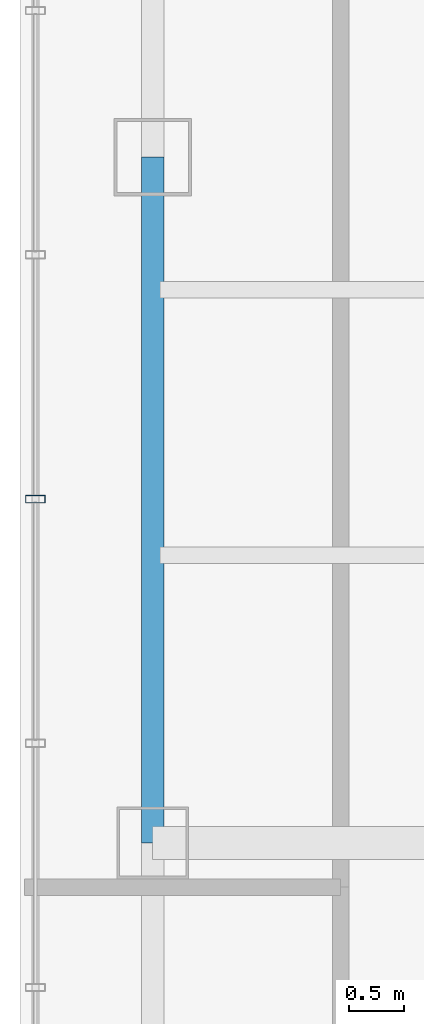
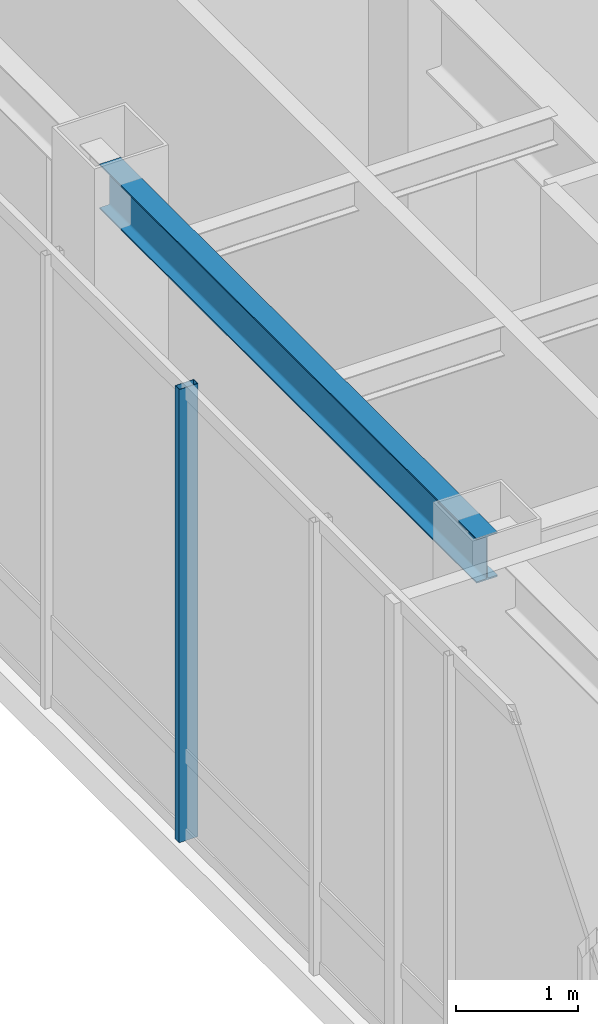
# One storey, part 8 of 21: 1 beam, 1 member, 1 element without a shape of its own.
"""IFC4 building model written with IfcOpenShell, lengths in metres."""

import ifcopenshell
import ifcopenshell.guid

model = None  # the IFC model being written
_history = None  # IfcOwnerHistory: only IFC2X3 demands one
_inside = {}  # id of a spatial element -> (the spatial element, [elements in it])
_under = {}  # id of a project, library or spatial element -> (it, [spatial elements below it])
_declared = {}  # id of a project -> (the project, [libraries it declares])
_typed = {}  # id of a type object -> (the type object, [elements of that type])
_made_of = {}  # id of a material, layer set ... -> (it, [elements and type objects made of it])


def new_model(schema):
    """Start an empty IFC model of exactly this schema.

    Asked for "IFC4X3", IfcOpenShell would pick the latest addendum, in which some entities
    have other attributes; the version numbers below select the first issue.
    IFC2X3 requires an IfcOwnerHistory on every rooted entity: one is made here for all.
    """
    global model, _history
    if schema == "IFC4X3":
        model = ifcopenshell.file(schema_version=(4, 3, 0, 0))
    else:
        model = ifcopenshell.file(schema=schema)
    _inside.clear()
    _under.clear()
    _declared.clear()
    _typed.clear()
    _made_of.clear()
    _history = None
    if model.schema == "IFC2X3":
        org = make("IfcOrganization", Name="unknown")
        user = make(
            "IfcPersonAndOrganization",
            ThePerson=make("IfcPerson", FamilyName="unknown"),
            TheOrganization=org,
        )
        app = make(
            "IfcApplication",
            ApplicationDeveloper=org,
            Version="unknown",
            ApplicationFullName="unknown",
            ApplicationIdentifier="unknown",
        )
        _history = make(
            "IfcOwnerHistory",
            OwningUser=user,
            OwningApplication=app,
            ChangeAction="ADDED",
            CreationDate=0,
        )
    return model


def make(cls, **values):
    """One entity of the class cls with the attributes given. An attribute that is None is left unset."""
    return model.create_entity(
        cls, **{name: value for name, value in values.items() if value is not None}
    )


def rooted(cls, **values):
    """An entity with a GlobalId (a new one), such as an element, a storey or a relation."""
    return make(cls, GlobalId=ifcopenshell.guid.new(), OwnerHistory=_history, **values)


def si_unit(unit_type, name, prefix=None):
    """IfcSIUnit, for example si_unit("LENGTHUNIT", "METRE", prefix="MILLI")."""
    return make("IfcSIUnit", UnitType=unit_type, Prefix=prefix, Name=name)


def assignment(units):
    """IfcUnitAssignment: the units of a project."""
    return None if units is None else make("IfcUnitAssignment", Units=units)


def point(xyz):
    """IfcCartesianPoint."""
    return None if xyz is None else make("IfcCartesianPoint", Coordinates=xyz)


def direction(xyz):
    """IfcDirection."""
    return None if xyz is None else make("IfcDirection", DirectionRatios=xyz)


def frame(location, z_axis=None, x_axis=None):
    """IfcAxis2Placement3D, a coordinate frame: its origin and axes. An axis left out is left unset."""
    return make(
        "IfcAxis2Placement3D",
        Location=point(location),
        Axis=direction(z_axis),
        RefDirection=direction(x_axis),
    )


def frame_2d(location, x_axis=None):
    """IfcAxis2Placement2D, a coordinate frame in the plane: its origin and x axis."""
    return make(
        "IfcAxis2Placement2D", Location=point(location), RefDirection=direction(x_axis)
    )


def origin():
    """The frame at (0, 0, 0) with its axes left unset."""
    return frame((0.0, 0.0, 0.0))


def origin_2d():
    """The frame at (0, 0) in the plane with its x axis left unset."""
    return frame_2d((0.0, 0.0))


def place(relative_to, where):
    """IfcLocalPlacement: puts the frame where relative to a parent placement (None: the world)."""
    return make(
        "IfcLocalPlacement", PlacementRelTo=relative_to, RelativePlacement=where
    )


def context(
    kind, dimensions, precision=None, world=None, true_north=None, identifier=None
):
    """IfcGeometricRepresentationContext, for example the 3D "Model" context."""
    return make(
        "IfcGeometricRepresentationContext",
        ContextIdentifier=identifier,
        ContextType=kind,
        CoordinateSpaceDimension=dimensions,
        Precision=precision,
        WorldCoordinateSystem=world,
        TrueNorth=true_north,
    )


def subcontext(parent, identifier, kind, view, scale=None):
    """IfcGeometricRepresentationSubContext, for example "Body" below "Model"."""
    return make(
        "IfcGeometricRepresentationSubContext",
        ContextIdentifier=identifier,
        ContextType=kind,
        ParentContext=parent,
        TargetScale=scale,
        TargetView=view,
    )


def project(units=None, contexts=None):
    """IfcProject with its units and contexts."""
    return rooted(
        "IfcProject",
        Name="project",
        RepresentationContexts=contexts,
        UnitsInContext=assignment(units),
    )


def spatial(cls, under=None, at=None, **own):
    """A site, building, storey or space (cls), placed at a placement, below another one or the project."""
    s = rooted(cls, ObjectPlacement=at, **own)
    if under is not None:
        _under.setdefault(under.id(), (under, []))[1].append(s)
    return s


def profile(cls, at=None, kind="AREA", **sizes):
    """A parametric profile (cls). Its sizes go by their IFC names, for example OverallWidth=200.0."""
    return make(cls, ProfileType=kind, Position=at, **sizes)


def hollow_rectangle(**sizes):
    """IfcRectangleHollowProfileDef."""
    return profile("IfcRectangleHollowProfileDef", **sizes)


def i_section(**sizes):
    """IfcIShapeProfileDef."""
    return profile("IfcIShapeProfileDef", **sizes)


def extrude(swept, where, along, depth):
    """IfcExtrudedAreaSolid: the profile swept, set in the frame where, extruded along a direction by depth."""
    return make(
        "IfcExtrudedAreaSolid",
        SweptArea=swept,
        Position=where,
        ExtrudedDirection=direction(along),
        Depth=depth,
    )


def shape(context_of_items, identifier, shape_type, items):
    """IfcShapeRepresentation: the items that make up one representation, for example the "Body"."""
    return make(
        "IfcShapeRepresentation",
        ContextOfItems=context_of_items,
        RepresentationIdentifier=identifier,
        RepresentationType=shape_type,
        Items=items,
    )


def material(Name=None, Category=None):
    """IfcMaterial."""
    return make("IfcMaterial", Name=Name, Category=Category)


def layer(
    of_material, thickness, ventilated=None, Name=None, Category=None, Priority=None
):
    """IfcMaterialLayer: one layer of a wall or slab, of a material (None: an air gap)."""
    return make(
        "IfcMaterialLayer",
        Material=of_material,
        LayerThickness=thickness,
        IsVentilated=ventilated,
        Name=Name,
        Category=Category,
        Priority=Priority,
    )


def layer_set(layers, Name=None):
    """IfcMaterialLayerSet."""
    return make("IfcMaterialLayerSet", MaterialLayers=layers, LayerSetName=Name)


def material_profile(
    of_material, cross_section, Name=None, Category=None, Priority=None
):
    """IfcMaterialProfile: a cross section and its material."""
    return make(
        "IfcMaterialProfile",
        Name=Name,
        Material=of_material,
        Profile=cross_section,
        Priority=Priority,
        Category=Category,
    )


def profile_set(profiles, Name=None, composite=None):
    """IfcMaterialProfileSet."""
    return make(
        "IfcMaterialProfileSet",
        Name=Name,
        MaterialProfiles=profiles,
        CompositeProfile=composite,
    )


def made_of(thing, what):
    """Note that an element or type object is made of a material, layer set ...; save() writes the relation."""
    if what is not None:
        _made_of.setdefault(what.id(), (what, []))[1].append(thing)
    return thing


def type_object(cls, material=None, **own):
    """A type object (cls), such as IfcWallType, which elements share."""
    return made_of(rooted(cls, **own), material)


def element(
    cls,
    number,
    at=None,
    inside=None,
    cuts=None,
    type_object=None,
    material=None,
    context=None,
    identifier="Body",
    shape_type=None,
    held_by="IfcProductDefinitionShape",
    body=None,
    shapes=None,
    **own,
):
    """One element of the class cls, such as IfcWall. Its Tag is "e" and its number.

    at: its placement. inside: the storey or other place that contains it. cuts: it is an
    opening in that element (IfcRelVoidsElement). A single representation is given by context,
    identifier, shape_type and body (its items); several are given by shapes. held_by: the class
    of the entity that holds the representations. save() writes the other relations.
    """
    e = rooted(cls, Tag="e%d" % number, ObjectPlacement=at, **own)
    if body is not None:
        shapes = [shape(context, identifier, shape_type, body)]
    if shapes is not None:
        e.Representation = make(held_by, Representations=shapes)
    if inside is not None:
        _inside.setdefault(inside.id(), (inside, []))[1].append(e)
    if cuts is not None:
        rooted(
            "IfcRelVoidsElement", RelatingBuildingElement=cuts, RelatedOpeningElement=e
        )
    if type_object is not None:
        _typed.setdefault(type_object.id(), (type_object, []))[1].append(e)
    return made_of(e, material)


def aggregate(whole, parts):
    """IfcRelAggregates: a whole, such as a stair, and the parts it consists of."""
    return rooted("IfcRelAggregates", RelatingObject=whole, RelatedObjects=parts)


def save(model, path):
    """Write the relations noted so far, then the file.

    IfcRelAggregates (storeys below a building ...), IfcRelContainedInSpatialStructure (elements
    in a storey), IfcRelDefinesByType, IfcRelAssociatesMaterial and IfcRelDeclares: one each for
    every whole, place, type object, material and project.
    """
    for whole, parts in _under.values():
        aggregate(whole, parts)
    for where, things in _inside.values():
        rooted(
            "IfcRelContainedInSpatialStructure",
            RelatedElements=things,
            RelatingStructure=where,
        )
    for kind, things in _typed.values():
        rooted("IfcRelDefinesByType", RelatedObjects=things, RelatingType=kind)
    for what, things in _made_of.values():
        rooted("IfcRelAssociatesMaterial", RelatedObjects=things, RelatingMaterial=what)
    for by, libraries in _declared.values():
        rooted("IfcRelDeclares", RelatingContext=by, RelatedDefinitions=libraries)
    model.write(path)


model = new_model("IFC4")

# Units and contexts
model_context = context("Model", 3, precision=1e-05, world=origin(), true_north=direction((0.0, 1.0)))
body_context = subcontext(model_context, "Body", "Model", "MODEL_VIEW")
ifc_project = project(units=[si_unit("LENGTHUNIT", "METRE"), si_unit("AREAUNIT", "SQUARE_METRE"), si_unit("VOLUMEUNIT", "CUBIC_METRE"), si_unit("PLANEANGLEUNIT", "RADIAN"), si_unit("MASSUNIT", "GRAM", prefix="KILO")], contexts=[model_context])

# Site, building, storey
site_placement = place(None, origin())
site = spatial("IfcSite", under=ifc_project, at=site_placement, CompositionType="ELEMENT")
building_placement = place(site_placement, origin())
building = spatial("IfcBuilding", under=site, at=building_placement, Name="Hatsunagi Terrace Concourse", CompositionType="ELEMENT")
storey_placement = place(building_placement, frame((0.0, 0.0, 234.75)))
storey = spatial("IfcBuildingStorey", under=building, at=storey_placement, Name="L62", CompositionType="ELEMENT", Elevation=234.75)

# Curtain wall, member
ifc_material_1 = material(Name="Anodised Aluminium Alloy 6063-T5", Category="aluminium")
ifc_layer = layer(ifc_material_1, 0.199951171875)
ifc_layer_set = layer_set([ifc_layer], Name="OfficeZone2_CW04")
curtain_wall_type = type_object("IfcCurtainWallType", Name="OfficeZone2_CW04", PredefinedType="NOTDEFINED", material=ifc_layer_set)
curtain_wall_placement = place(storey_placement, origin())
curtain_wall = element("IfcCurtainWall", 1, at=curtain_wall_placement, inside=storey, type_object=curtain_wall_type, Name="Unitised Curtain Wall CW-04 CW-L62-08", PredefinedType="NOTDEFINED")
ifc_material_2 = material(Name="Anodised Aluminium Alloy 6063-T5", Category="aluminium")
ifc_material_profile_1 = material_profile(ifc_material_2, hollow_rectangle(XDim=0.070068359375, YDim=0.179931640625, WallThickness=0.00390625, at=origin_2d()), Name="ALU-MUL-180x70x4")
ifc_profile_set_1 = profile_set([ifc_material_profile_1], Name="Anodised Aluminium Alloy 6063-T5")
member_type = type_object("IfcMemberType", Name="CurtainWallMullion_180x70", PredefinedType="MULLION", material=ifc_profile_set_1)
member_placement = place(storey_placement, frame((18.139892578125, 39.10791015625, 0.0), z_axis=(0.0, 0.0, 1.0), x_axis=(0.0, 1.0, 0.0)))
member = element("IfcMember", 2, at=member_placement, type_object=member_type, Name="Curtain Wall Mullion MUL-02", PredefinedType="MULLION", context=body_context, shape_type="SweptSolid", body=[
    extrude(hollow_rectangle(XDim=0.070068359375, YDim=0.179931640625, WallThickness=0.00390625, at=origin_2d()), origin(), (0.0, 0.0, 1.0), 4.550048828125),
])
aggregate(curtain_wall, [member])

# Beam
ifc_material_3 = material(Name="Steel SN490B", Category="steel")
ifc_material_profile_2 = material_profile(ifc_material_3, i_section(OverallWidth=0.199951171875, OverallDepth=0.449951171875, WebThickness=0.009033203125, FlangeThickness=0.013916015625, FilletRadius=0.01611328125, at=origin_2d()), Name="H-450x200x9x14")
ifc_profile_set_2 = profile_set([ifc_material_profile_2], Name="Steel SN490B")
beam_type = type_object("IfcBeamType", Name="PerimeterSpandrel_H_450x200", PredefinedType="SPANDREL", material=ifc_profile_set_2)
beam_placement = place(storey_placement, frame((19.199951171875, 36.0, 4.324951171875), z_axis=(0.0, 1.0, 0.0), x_axis=(-1.0, 0.0, 0.0)))
element("IfcBeam", 3, at=beam_placement, inside=storey, type_object=beam_type, Name="Beam SP-02 BM-L62-NS-19-36", PredefinedType="SPANDREL", context=body_context, shape_type="SweptSolid", body=[
    extrude(i_section(OverallWidth=0.199951171875, OverallDepth=0.449951171875, WebThickness=0.009033203125, FlangeThickness=0.013916015625, FilletRadius=0.01611328125, at=origin_2d()), origin(), (0.0, 0.0, 1.0), 6.199951171875),
])

save(model, "model.ifc")
